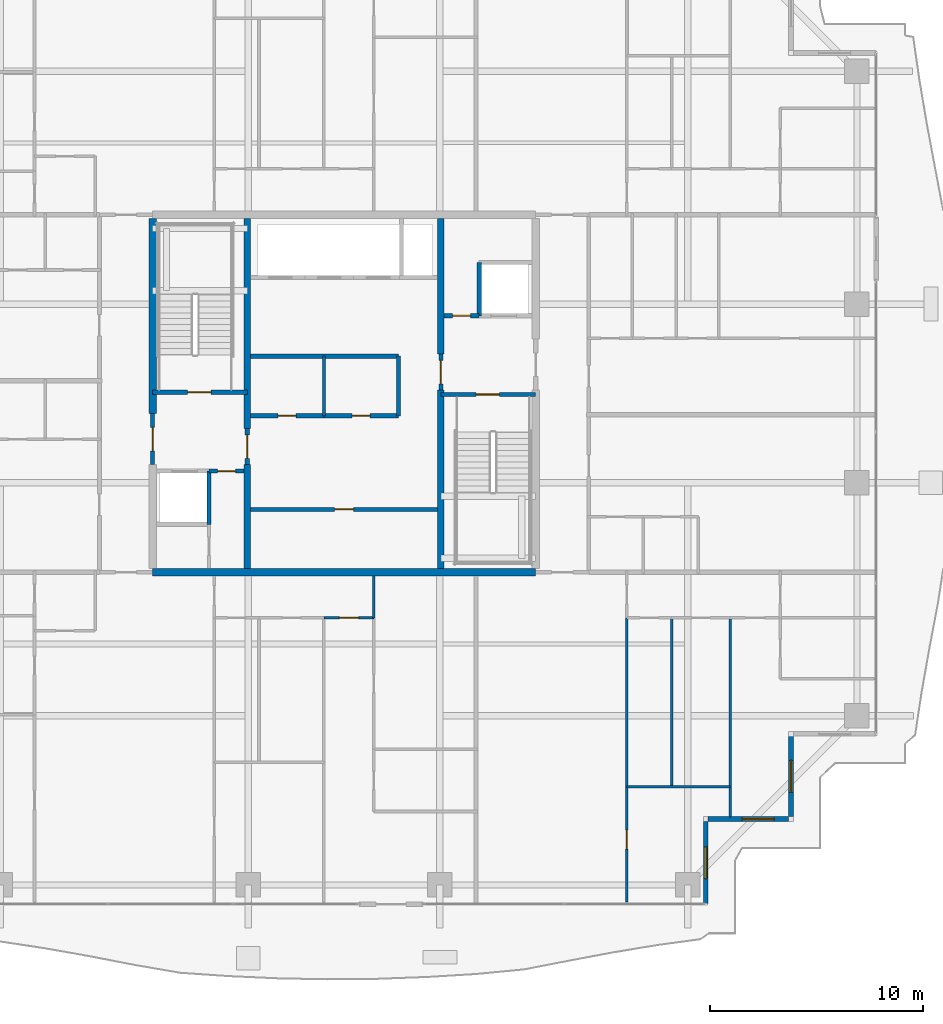
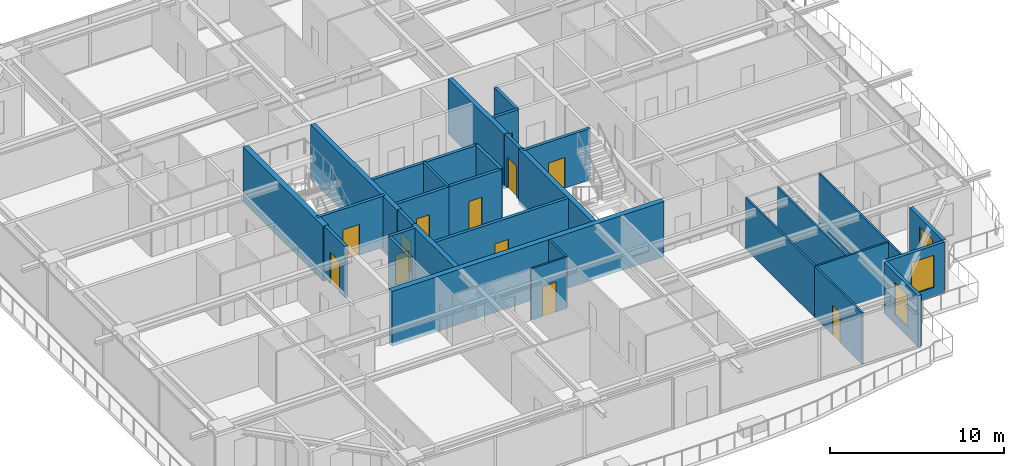
# One storey, part 27 of 38: 31 walls, 12 doors, 3 windows, 15 openings.
"""IFC4 building model written with IfcOpenShell, lengths in metres."""

from ifc_helpers import new_model, si_unit, direction, frame, frame_2d, origin, place, context, subcontext, project, spatial, rectangle, extrude, source, transform, mapped, material, layer, layer_set, type_object, element, fill, save


model = new_model("IFC4")

# Units and contexts
model_context = context("Model", 3, precision=1e-05, world=origin(), true_north=direction((0.0, 1.0)))
body_context = subcontext(model_context, "Body", "Model", "MODEL_VIEW")
ifc_project = project(units=[si_unit("LENGTHUNIT", "METRE"), si_unit("AREAUNIT", "SQUARE_METRE"), si_unit("VOLUMEUNIT", "CUBIC_METRE"), si_unit("PLANEANGLEUNIT", "RADIAN"), si_unit("MASSUNIT", "GRAM", prefix="KILO")], contexts=[model_context])

# Site, building, storey
site_placement = place(None, origin())
site = spatial("IfcSite", under=ifc_project, at=site_placement, CompositionType="ELEMENT")
building_placement = place(site_placement, origin())
building = spatial("IfcBuilding", under=site, at=building_placement, Name="Serunith Strait Residences", CompositionType="ELEMENT")
storey_placement = place(building_placement, frame((0.0, 0.0, 245.10009765625)))
storey = spatial("IfcBuildingStorey", under=building, at=storey_placement, Name="L61", CompositionType="ELEMENT", Elevation=245.10009765625)

# Wall, opening, window
ifc_material_1 = material(Name="Pale-Champagne Aluminium Insulated Panel", Category="aluminium")
ifc_layer_1 = layer(ifc_material_1, 0.219970703125, Name="Pale-Champagne Aluminium Insulated Panel")
ifc_layer_set_1 = layer_set([ifc_layer_1], Name="Pale-Champagne Aluminium Insulated Panel")
wall_type_1 = type_object("IfcWallType", Name="EW-ALUM-220", PredefinedType="ELEMENTEDWALL", material=ifc_layer_set_1)
wall_1_placement = place(storey_placement, frame((49.39990234375, 1.199951171875, 0.0), z_axis=(0.0, 0.0, 1.0), x_axis=(0.0, 1.0, 0.0)))
wall_1 = element("IfcWall", 1, at=wall_1_placement, inside=storey, type_object=wall_type_1, Name="L61 Girih Serrated Corner Wall 02", PredefinedType="ELEMENTEDWALL", context=body_context, shape_type="SweptSolid", body=[
    extrude(rectangle(XDim=3.89013671875, YDim=0.219970703125, at=frame_2d((1.945068359375, 0.0))), origin(), (0.0, 0.0, 1.0), 3.574951171875),
])
opening_1_placement = place(wall_1_placement, frame((1.195068359375, 0.0, 0.64990234375)))
opening_1 = element("IfcOpeningElement", 2, at=opening_1_placement, cuts=wall_1, Name="Opening W-05", PredefinedType="OPENING", context=body_context, shape_type="SweptSolid", body=[
    extrude(rectangle(XDim=1.5, YDim=2.25, at=frame_2d((0.75, 1.125))), frame((0.0, 0.1201171875, 0.0), z_axis=(0.0, -1.0, 0.0), x_axis=(1.0, 0.0, 0.0)), (0.0, 0.0, 1.0), 0.239990234375),
])
ifc_material_2 = material(Name="Ceramic-Fritted Operable Aluminium Window Glass", Category="aluminium")
window_type = type_object("IfcWindowType", Name="WIN-C5", PartitioningType="DOUBLE_PANEL_VERTICAL", PredefinedType="WINDOW", material=ifc_material_2)
shared_shape_1 = source(origin(), body_context, "Body", "SweptSolid", [
    extrude(rectangle(XDim=1.5, YDim=2.25, at=frame_2d((0.75, 1.125))), frame((0.0, 0.030029296875, 0.0), z_axis=(0.0, -1.0, 0.0), x_axis=(1.0, 0.0, 0.0)), (0.0, 0.0, 1.0), 0.06005859375),
])
window_1_placement = place(opening_1_placement, origin())
window_1 = element("IfcWindow", 3, at=window_1_placement, inside=storey, type_object=window_type, Name="L61 Corner Operable Fritted Window 02", OverallHeight=2.25, OverallWidth=1.5, PartitioningType="SINGLE_PANEL", PredefinedType="WINDOW", context=body_context, shape_type="MappedRepresentation", body=[
    mapped(shared_shape_1, transform((0.0, 0.0, 0.0), scale=1.0)),
])
fill(opening_1, window_1)

wall_2_placement = place(storey_placement, frame((49.510009765625, 5.199951171875, 0.0), z_axis=(0.0, 0.0, 1.0), x_axis=(1.0, 0.0, 0.0)))
wall_2 = element("IfcWall", 4, at=wall_2_placement, inside=storey, type_object=wall_type_1, Name="L61 Girih Serrated Corner Wall 03", PredefinedType="ELEMENTEDWALL", context=body_context, shape_type="SweptSolid", body=[
    extrude(rectangle(XDim=3.780029296875, YDim=0.219970703125, at=frame_2d((1.89013671875, 0.0))), origin(), (0.0, 0.0, 1.0), 3.574951171875),
])
opening_2_placement = place(wall_2_placement, frame((1.595947265625, 0.0, 0.64990234375)))
opening_2 = element("IfcOpeningElement", 5, at=opening_2_placement, cuts=wall_2, Name="Opening W-05", PredefinedType="OPENING", context=body_context, shape_type="SweptSolid", body=[
    extrude(rectangle(XDim=1.5, YDim=2.25, at=frame_2d((0.75, 1.125))), frame((0.0, 0.1201171875, 0.0), z_axis=(0.0, -1.0, 0.0), x_axis=(1.0, 0.0, 0.0)), (0.0, 0.0, 1.0), 0.239990234375),
])
window_2_placement = place(opening_2_placement, origin())
window_2 = element("IfcWindow", 6, at=window_2_placement, inside=storey, type_object=window_type, Name="L61 Corner Operable Fritted Window 03", OverallHeight=2.25, OverallWidth=1.5, PartitioningType="SINGLE_PANEL", PredefinedType="WINDOW", context=body_context, shape_type="MappedRepresentation", body=[
    mapped(shared_shape_1, transform((0.0, 0.0, 0.0), scale=1.0)),
])
fill(opening_2, window_2)

wall_3_placement = place(storey_placement, frame((53.39990234375, 5.31005859375, 0.0), z_axis=(0.0, 0.0, 1.0), x_axis=(0.0, 1.0, 0.0)))
wall_3 = element("IfcWall", 7, at=wall_3_placement, inside=storey, type_object=wall_type_1, Name="L61 Girih Serrated Corner Wall 04", PredefinedType="ELEMENTEDWALL", context=body_context, shape_type="SweptSolid", body=[
    extrude(rectangle(XDim=3.780029296875, YDim=0.219970703125, at=frame_2d((1.89013671875, 0.0))), origin(), (0.0, 0.0, 1.0), 3.574951171875),
])
opening_3_placement = place(wall_3_placement, frame((1.139892578125, 0.0, 0.64990234375)))
opening_3 = element("IfcOpeningElement", 8, at=opening_3_placement, cuts=wall_3, Name="Opening W-05", PredefinedType="OPENING", context=body_context, shape_type="SweptSolid", body=[
    extrude(rectangle(XDim=1.5, YDim=2.25, at=frame_2d((0.75, 1.125))), frame((0.0, 0.1201171875, 0.0), z_axis=(0.0, -1.0, 0.0), x_axis=(1.0, 0.0, 0.0)), (0.0, 0.0, 1.0), 0.239990234375),
])
window_3_placement = place(opening_3_placement, origin())
window_3 = element("IfcWindow", 9, at=window_3_placement, inside=storey, type_object=window_type, Name="L61 Corner Operable Fritted Window 04", OverallHeight=2.25, OverallWidth=1.5, PartitioningType="SINGLE_PANEL", PredefinedType="WINDOW", context=body_context, shape_type="MappedRepresentation", body=[
    mapped(shared_shape_1, transform((0.0, 0.0, 0.0), scale=1.0)),
])
fill(opening_3, window_3)

# Wall
ifc_material_3 = material(Name="Fire-rated masonry service closet wall", Category="masonry")
ifc_layer_2 = layer(ifc_material_3, 0.14990234375, Name="Fire-rated masonry service closet wall")
ifc_layer_set_2 = layer_set([ifc_layer_2], Name="Fire-rated masonry service closet wall")
wall_type_2 = type_object("IfcWallType", Name="IW-BOH-150", PredefinedType="PARTITIONING", material=ifc_layer_set_2)
wall_4_placement = place(storey_placement, frame((31.449951171875, 24.14990234375, 0.0), z_axis=(0.0, 0.0, 1.0), x_axis=(0.0, 1.0, 0.0)))
element("IfcWall", 10, at=wall_4_placement, inside=storey, type_object=wall_type_2, Name="L61 Partition Wall 017", PredefinedType="PARTITIONING", context=body_context, shape_type="SweptSolid", body=[
    extrude(rectangle(XDim=2.800048828125, YDim=0.14990234375, at=frame_2d((1.39990234375, 0.0))), origin(), (0.0, 0.0, 1.0), 3.58984375),
])

# Wall, opening, door
ifc_material_4 = material(Name="Lightweight steel-stud gypsum partition", Category="steel")
ifc_layer_3 = layer(ifc_material_4, 0.1201171875, Name="Lightweight steel-stud gypsum partition")
ifc_layer_set_3 = layer_set([ifc_layer_3], Name="Lightweight steel-stud gypsum partition")
wall_type_3 = type_object("IfcWallType", Name="IW-PART-120", PredefinedType="PARTITIONING", material=ifc_layer_set_3)
wall_5_placement = place(storey_placement, frame((31.451904296875, 14.64990234375, 0.0), z_axis=(0.0, 0.0, 1.0), x_axis=(1.0, 0.0, 0.0)))
wall_5 = element("IfcWall", 11, at=wall_5_placement, inside=storey, type_object=wall_type_3, Name="L61 Partition Wall 048", PredefinedType="PARTITIONING", context=body_context, shape_type="SweptSolid", body=[
    extrude(rectangle(XDim=2.34814453125, YDim=0.1201171875, at=frame_2d((1.174072265625, 0.0))), origin(), (0.0, 0.0, 1.0), 3.58984375),
])
opening_4_placement = place(wall_5_placement, frame((0.72412109375, 0.0, 0.0)))
opening_4 = element("IfcOpeningElement", 12, at=opening_4_placement, cuts=wall_5, Name="Opening D-RM900", PredefinedType="OPENING", context=body_context, shape_type="SweptSolid", body=[
    extrude(rectangle(XDim=0.89990234375, YDim=2.10009765625, at=frame_2d((0.449951171875, 1.050048828125))), frame((0.0, 0.070068359375, 0.0), z_axis=(0.0, -1.0, 0.0), x_axis=(1.0, 0.0, 0.0)), (0.0, 0.0, 1.0), 0.14013671875),
])
ifc_material_5 = material(Name="Engineered timber flush bedroom door", Category="wood")
door_type_1 = type_object("IfcDoorType", Name="ID-ROOM-900", OperationType="NOTDEFINED", PredefinedType="DOOR", material=ifc_material_5)
shared_shape_2 = source(origin(), body_context, "Body", "SweptSolid", [
    extrude(rectangle(XDim=0.89990234375, YDim=2.10009765625, at=frame_2d((0.449951171875, 1.050048828125))), frame((0.0, 0.02490234375, 0.0), z_axis=(0.0, -1.0, 0.0), x_axis=(1.0, 0.0, 0.0)), (0.0, 0.0, 1.0), 0.050048828125),
])
door_1_placement = place(opening_4_placement, origin())
door_1 = element("IfcDoor", 13, at=door_1_placement, inside=storey, type_object=door_type_1, Name="L61 Master Bedroom E 6101 Door", OperationType="SINGLE_SWING_LEFT", OverallHeight=2.10009765625, OverallWidth=0.89990234375, PredefinedType="DOOR", context=body_context, shape_type="MappedRepresentation", body=[
    mapped(shared_shape_2, transform((0.0, 0.0, 0.0), scale=1.0)),
])
fill(opening_4, door_1)

# Wall
wall_6_placement = place(storey_placement, frame((33.800048828125, 14.652099609375, 0.0), z_axis=(0.0, 0.0, 1.0), x_axis=(0.0, 1.0, 0.0)))
element("IfcWall", 14, at=wall_6_placement, inside=storey, type_object=wall_type_3, Name="L61 Partition Wall 053", PredefinedType="PARTITIONING", context=body_context, shape_type="SweptSolid", body=[
    extrude(rectangle(XDim=1.972900390625, YDim=0.1201171875, at=frame_2d((0.986328125, 0.0))), origin(), (0.0, 0.0, 1.0), 3.58984375),
])

# Wall, opening, door
wall_7_placement = place(storey_placement, frame((45.68994140625, 1.294921875, 0.0), z_axis=(0.0, 0.0, 1.0), x_axis=(0.0, 1.0, 0.0)))
wall_7 = element("IfcWall", 15, at=wall_7_placement, inside=storey, type_object=wall_type_3, Name="L61 Partition Wall 055", PredefinedType="PARTITIONING", context=body_context, shape_type="SweptSolid", body=[
    extrude(rectangle(XDim=5.419189453125, YDim=0.1201171875, at=frame_2d((2.70947265625, 0.0))), origin(), (0.0, 0.0, 1.0), 3.58984375),
])
opening_5_placement = place(wall_7_placement, frame((2.485107421875, 0.0, 0.0)))
opening_5 = element("IfcOpeningElement", 16, at=opening_5_placement, cuts=wall_7, Name="Opening D-RM900", PredefinedType="OPENING", context=body_context, shape_type="SweptSolid", body=[
    extrude(rectangle(XDim=0.89990234375, YDim=2.10009765625, at=frame_2d((0.449951171875, 1.050048828125))), frame((0.0, 0.070068359375, 0.0), z_axis=(0.0, -1.0, 0.0), x_axis=(1.0, 0.0, 0.0)), (0.0, 0.0, 1.0), 0.14013671875),
])
door_2_placement = place(opening_5_placement, origin())
door_2 = element("IfcDoor", 17, at=door_2_placement, inside=storey, type_object=door_type_1, Name="L61 Study 1 6102 Door", OperationType="SINGLE_SWING_LEFT", OverallHeight=2.10009765625, OverallWidth=0.89990234375, PredefinedType="DOOR", context=body_context, shape_type="MappedRepresentation", body=[
    mapped(shared_shape_2, transform((0.0, 0.0, 0.0), scale=1.0)),
])
fill(opening_5, door_2)

# Walls
wall_8_placement = place(storey_placement, frame((45.68994140625, 6.716064453125, 0.0), z_axis=(0.0, 0.0, 1.0), x_axis=(0.0, 1.0, 0.0)))
element("IfcWall", 18, at=wall_8_placement, inside=storey, type_object=wall_type_3, Name="L61 Partition Wall 056", PredefinedType="PARTITIONING", context=body_context, shape_type="SweptSolid", body=[
    extrude(rectangle(XDim=7.931884765625, YDim=0.1201171875, at=frame_2d((3.9658203125, 0.0))), origin(), (0.0, 0.0, 1.0), 3.58984375),
])
wall_9_placement = place(storey_placement, frame((45.68994140625, 6.714111328125, 0.0), z_axis=(0.0, 0.0, 1.0), x_axis=(1.0, 0.0, 0.0)))
element("IfcWall", 19, at=wall_9_placement, inside=storey, type_object=wall_type_3, Name="L61 Partition Wall 057", PredefinedType="PARTITIONING", context=body_context, shape_type="SweptSolid", body=[
    extrude(rectangle(XDim=4.85009765625, YDim=0.1201171875, at=frame_2d((2.425048828125, 0.0))), origin(), (0.0, 0.0, 1.0), 3.58984375),
])
wall_10_placement = place(storey_placement, frame((50.5400390625, 5.294921875, 0.0), z_axis=(0.0, 0.0, 1.0), x_axis=(0.0, 1.0, 0.0)))
element("IfcWall", 20, at=wall_10_placement, inside=storey, type_object=wall_type_3, Name="L61 Partition Wall 058", PredefinedType="PARTITIONING", context=body_context, shape_type="SweptSolid", body=[
    extrude(rectangle(XDim=9.35498046875, YDim=0.1201171875, at=frame_2d((4.677490234375, 0.0))), origin(), (0.0, 0.0, 1.0), 3.58984375),
])
wall_11_placement = place(storey_placement, frame((47.7900390625, 6.714111328125, 0.0), z_axis=(0.0, 0.0, 1.0), x_axis=(0.0, 1.0, 0.0)))
element("IfcWall", 21, at=wall_11_placement, inside=storey, type_object=wall_type_3, Name="L61 Partition Wall 059", PredefinedType="PARTITIONING", context=body_context, shape_type="SweptSolid", body=[
    extrude(rectangle(XDim=7.935791015625, YDim=0.1201171875, at=frame_2d((3.9677734375, 0.0))), origin(), (0.0, 0.0, 1.0), 3.58984375),
])

# Wall, opening, door
ifc_material_6 = material(Name="Autoclaved aerated concrete blockwork", Category="masonry")
ifc_layer_4 = layer(ifc_material_6, 0.199951171875, Name="Autoclaved aerated concrete blockwork")
ifc_layer_set_4 = layer_set([ifc_layer_4], Name="Autoclaved aerated concrete blockwork")
wall_type_4 = type_object("IfcWallType", Name="IW-SHAFT-200", PredefinedType="STANDARD", material=ifc_layer_set_4)
wall_12_placement = place(storey_placement, frame((23.39990234375, 25.25, 0.0), z_axis=(0.0, 0.0, 1.0), x_axis=(1.0, 0.0, 0.0)))
wall_12 = element("IfcWall", 22, at=wall_12_placement, inside=storey, type_object=wall_type_4, Name="L61 ST-1 South Shaft Wall", PredefinedType="STANDARD", context=body_context, shape_type="SweptSolid", body=[
    extrude(rectangle(XDim=4.4501953125, YDim=0.199951171875, at=frame_2d((2.22509765625, 0.0))), origin(), (0.0, 0.0, 1.0), 3.58984375),
])
opening_6_placement = place(wall_12_placement, frame((1.64990234375, 0.0, 0.0)))
opening_6 = element("IfcOpeningElement", 23, at=opening_6_placement, cuts=wall_12, Name="Opening FD-1100", PredefinedType="OPENING", context=body_context, shape_type="SweptSolid", body=[
    extrude(rectangle(XDim=1.10009765625, YDim=2.14990234375, at=frame_2d((0.550048828125, 1.074951171875))), frame((0.0, 0.10986328125, 0.0), z_axis=(0.0, -1.0, 0.0), x_axis=(1.0, 0.0, 0.0)), (0.0, 0.0, 1.0), 0.219970703125),
])
ifc_material_7 = material(Name="Galvanised steel fire door leaf", Category="steel")
door_type_2 = type_object("IfcDoorType", Name="FD-STAIR-1100", OperationType="NOTDEFINED", PredefinedType="DOOR", material=ifc_material_7)
shared_shape_3 = source(origin(), body_context, "Body", "SweptSolid", [
    extrude(rectangle(XDim=1.10009765625, YDim=2.14990234375, at=frame_2d((0.550048828125, 1.074951171875))), frame((0.0, 0.02490234375, 0.0), z_axis=(0.0, -1.0, 0.0), x_axis=(1.0, 0.0, 0.0)), (0.0, 0.0, 1.0), 0.050048828125),
])
door_3_placement = place(opening_6_placement, origin())
door_3 = element("IfcDoor", 24, at=door_3_placement, inside=storey, type_object=door_type_2, Name="L61 ST-1 Escape Stair Door", OperationType="SINGLE_SWING_LEFT", OverallHeight=2.14990234375, OverallWidth=1.10009765625, PredefinedType="DOOR", context=body_context, shape_type="MappedRepresentation", body=[
    mapped(shared_shape_3, transform((0.0, 0.0, 0.0), scale=1.0)),
])
fill(opening_6, door_3)

wall_13_placement = place(storey_placement, frame((36.949951171875, 25.14990234375, 0.0), z_axis=(0.0, 0.0, 1.0), x_axis=(1.0, 0.0, 0.0)))
wall_13 = element("IfcWall", 25, at=wall_13_placement, inside=storey, type_object=wall_type_4, Name="L61 ST-2 North Shaft Wall", PredefinedType="STANDARD", context=body_context, shape_type="SweptSolid", body=[
    extrude(rectangle(XDim=4.449951171875, YDim=0.199951171875, at=frame_2d((2.22509765625, 0.0))), origin(), (0.0, 0.0, 1.0), 3.58984375),
])
opening_7_placement = place(wall_13_placement, frame((1.64990234375, 0.0, 0.0)))
opening_7 = element("IfcOpeningElement", 26, at=opening_7_placement, cuts=wall_13, Name="Opening FD-1100", PredefinedType="OPENING", context=body_context, shape_type="SweptSolid", body=[
    extrude(rectangle(XDim=1.10009765625, YDim=2.14990234375, at=frame_2d((0.550048828125, 1.074951171875))), frame((0.0, 0.10986328125, 0.0), z_axis=(0.0, -1.0, 0.0), x_axis=(1.0, 0.0, 0.0)), (0.0, 0.0, 1.0), 0.219970703125),
])
door_4_placement = place(opening_7_placement, origin())
door_4 = element("IfcDoor", 27, at=door_4_placement, inside=storey, type_object=door_type_2, Name="L61 ST-2 Escape Stair Door", OperationType="SINGLE_SWING_RIGHT", OverallHeight=2.14990234375, OverallWidth=1.10009765625, PredefinedType="DOOR", context=body_context, shape_type="MappedRepresentation", body=[
    mapped(shared_shape_3, transform((0.0, 0.0, 0.0), scale=1.0)),
])
fill(opening_7, door_4)

# Wall
wall_14_placement = place(storey_placement, frame((26.050048828125, 19.050048828125, 0.0), z_axis=(0.0, 0.0, 1.0), x_axis=(0.0, 1.0, 0.0)))
element("IfcWall", 28, at=wall_14_placement, inside=storey, type_object=wall_type_4, Name="L61 Partition Wall 001", PredefinedType="STANDARD", context=body_context, shape_type="SweptSolid", body=[
    extrude(rectangle(XDim=2.5, YDim=0.199951171875, at=frame_2d((1.25, 0.0))), origin(), (0.0, 0.0, 1.0), 3.58984375),
])

# Wall, opening, door
wall_15_placement = place(storey_placement, frame((26.052001953125, 21.550048828125, 0.0), z_axis=(0.0, 0.0, 1.0), x_axis=(1.0, 0.0, 0.0)))
wall_15 = element("IfcWall", 29, at=wall_15_placement, inside=storey, type_object=wall_type_4, Name="L61 Partition Wall 003", PredefinedType="STANDARD", context=body_context, shape_type="SweptSolid", body=[
    extrude(rectangle(XDim=1.64794921875, YDim=0.199951171875, at=frame_2d((0.823974609375, 0.0))), origin(), (0.0, 0.0, 1.0), 3.58984375),
])
opening_8_placement = place(wall_15_placement, frame((0.39892578125, 0.0, 0.0)))
opening_8 = element("IfcOpeningElement", 30, at=opening_8_placement, cuts=wall_15, Name="Opening FD-850", PredefinedType="OPENING", context=body_context, shape_type="SweptSolid", body=[
    extrude(rectangle(XDim=0.85009765625, YDim=2.10009765625, at=frame_2d((0.425048828125, 1.050048828125))), frame((0.0, 0.10986328125, 0.0), z_axis=(0.0, -1.0, 0.0), x_axis=(1.0, 0.0, 0.0)), (0.0, 0.0, 1.0), 0.219970703125),
])
ifc_material_8 = material(Name="Powder-coated steel service closet door", Category="steel")
door_type_3 = type_object("IfcDoorType", Name="FD-BOH-850", OperationType="NOTDEFINED", PredefinedType="DOOR", material=ifc_material_8)
shared_shape_4 = source(origin(), body_context, "Body", "SweptSolid", [
    extrude(rectangle(XDim=0.85009765625, YDim=2.10009765625, at=frame_2d((0.425048828125, 1.050048828125))), frame((0.0, 0.02490234375, 0.0), z_axis=(0.0, -1.0, 0.0), x_axis=(1.0, 0.0, 0.0)), (0.0, 0.0, 1.0), 0.050048828125),
])
door_5_placement = place(opening_8_placement, origin())
door_5 = element("IfcDoor", 31, at=door_5_placement, inside=storey, type_object=door_type_3, Name="L61 South-West Core Service Door", OperationType="SINGLE_SWING_LEFT", OverallHeight=2.10009765625, OverallWidth=0.85009765625, PredefinedType="DOOR", context=body_context, shape_type="MappedRepresentation", body=[
    mapped(shared_shape_4, transform((0.0, 0.0, 0.0), scale=1.0)),
])
fill(opening_8, door_5)

# Wall
wall_16_placement = place(storey_placement, frame((38.75, 28.85009765625, 0.0), z_axis=(0.0, 0.0, 1.0), x_axis=(0.0, 1.0, 0.0)))
element("IfcWall", 32, at=wall_16_placement, inside=storey, type_object=wall_type_4, Name="L61 Partition Wall 004", PredefinedType="STANDARD", context=body_context, shape_type="SweptSolid", body=[
    extrude(rectangle(XDim=2.5, YDim=0.199951171875, at=frame_2d((1.25, 0.0))), origin(), (0.0, 0.0, 1.0), 3.58984375),
])

# Wall, opening, door
wall_17_placement = place(storey_placement, frame((37.10009765625, 28.85009765625, 0.0), z_axis=(0.0, 0.0, 1.0), x_axis=(1.0, 0.0, 0.0)))
wall_17 = element("IfcWall", 33, at=wall_17_placement, inside=storey, type_object=wall_type_4, Name="L61 Partition Wall 006", PredefinedType="STANDARD", context=body_context, shape_type="SweptSolid", body=[
    extrude(rectangle(XDim=1.64794921875, YDim=0.199951171875, at=frame_2d((0.823974609375, 0.0))), origin(), (0.0, 0.0, 1.0), 3.58984375),
])
opening_9_placement = place(wall_17_placement, frame((0.39892578125, 0.0, 0.0)))
opening_9 = element("IfcOpeningElement", 34, at=opening_9_placement, cuts=wall_17, Name="Opening FD-850", PredefinedType="OPENING", context=body_context, shape_type="SweptSolid", body=[
    extrude(rectangle(XDim=0.85009765625, YDim=2.10009765625, at=frame_2d((0.425048828125, 1.050048828125))), frame((0.0, 0.10986328125, 0.0), z_axis=(0.0, -1.0, 0.0), x_axis=(1.0, 0.0, 0.0)), (0.0, 0.0, 1.0), 0.219970703125),
])
door_6_placement = place(opening_9_placement, origin())
door_6 = element("IfcDoor", 35, at=door_6_placement, inside=storey, type_object=door_type_3, Name="L61 North-East Core Service Door", OperationType="SINGLE_SWING_RIGHT", OverallHeight=2.10009765625, OverallWidth=0.85009765625, PredefinedType="DOOR", context=body_context, shape_type="MappedRepresentation", body=[
    mapped(shared_shape_4, transform((0.0, 0.0, 0.0), scale=1.0)),
])
fill(opening_9, door_6)

wall_18_placement = place(storey_placement, frame((23.39990234375, 21.85205078125, 0.0), z_axis=(0.0, 0.0, 1.0), x_axis=(0.0, 1.0, 0.0)))
wall_18 = element("IfcWall", 36, at=wall_18_placement, inside=storey, type_object=wall_type_4, Name="L61 Partition Wall 007", PredefinedType="STANDARD", context=body_context, shape_type="SweptSolid", body=[
    extrude(rectangle(XDim=2.39599609375, YDim=0.199951171875, at=frame_2d((1.197998046875, 0.0))), origin(), (0.0, 0.0, 1.0), 3.58984375),
])
opening_10_placement = place(wall_18_placement, frame((0.64794921875, 0.0, 0.0)))
opening_10 = element("IfcOpeningElement", 37, at=opening_10_placement, cuts=wall_18, Name="Opening FD-FFL", PredefinedType="OPENING", context=body_context, shape_type="SweptSolid", body=[
    extrude(rectangle(XDim=1.10009765625, YDim=2.14990234375, at=frame_2d((0.550048828125, 1.074951171875))), frame((0.0, 0.10986328125, 0.0), z_axis=(0.0, -1.0, 0.0), x_axis=(1.0, 0.0, 0.0)), (0.0, 0.0, 1.0), 0.219970703125),
])
ifc_material_9 = material(Name="Glazed steel smoke-lobby fire door", Category="steel")
door_type_4 = type_object("IfcDoorType", Name="FD-FFL-1100", OperationType="NOTDEFINED", PredefinedType="DOOR", material=ifc_material_9)
door_7_placement = place(opening_10_placement, origin())
door_7 = element("IfcDoor", 38, at=door_7_placement, inside=storey, type_object=door_type_4, Name="L61 FFL-1 Corridor Fire Door", OperationType="SINGLE_SWING_LEFT", OverallHeight=2.14990234375, OverallWidth=1.10009765625, PredefinedType="DOOR", context=body_context, shape_type="MappedRepresentation", body=[
    mapped(shared_shape_3, transform((0.0, 0.0, 0.0), scale=1.0)),
])
fill(opening_10, door_7)

wall_19_placement = place(storey_placement, frame((27.85009765625, 21.85205078125, 0.0), z_axis=(0.0, 0.0, 1.0), x_axis=(0.0, 1.0, 0.0)))
wall_19 = element("IfcWall", 39, at=wall_19_placement, inside=storey, type_object=wall_type_4, Name="L61 Partition Wall 009", PredefinedType="STANDARD", context=body_context, shape_type="SweptSolid", body=[
    extrude(rectangle(XDim=1.696044921875, YDim=0.199951171875, at=frame_2d((0.84814453125, 0.0))), origin(), (0.0, 0.0, 1.0), 3.58984375),
])
opening_11_placement = place(wall_19_placement, frame((0.298095703125, 0.0, 0.0)))
opening_11 = element("IfcOpeningElement", 40, at=opening_11_placement, cuts=wall_19, Name="Opening FD-FFL", PredefinedType="OPENING", context=body_context, shape_type="SweptSolid", body=[
    extrude(rectangle(XDim=1.10009765625, YDim=2.14990234375, at=frame_2d((0.550048828125, 1.074951171875))), frame((0.0, 0.10986328125, 0.0), z_axis=(0.0, -1.0, 0.0), x_axis=(1.0, 0.0, 0.0)), (0.0, 0.0, 1.0), 0.219970703125),
])
door_8_placement = place(opening_11_placement, origin())
door_8 = element("IfcDoor", 41, at=door_8_placement, inside=storey, type_object=door_type_4, Name="L61 FFL-1 Lift Lobby Door", OperationType="SINGLE_SWING_LEFT", OverallHeight=2.14990234375, OverallWidth=1.10009765625, PredefinedType="DOOR", context=body_context, shape_type="MappedRepresentation", body=[
    mapped(shared_shape_3, transform((0.0, 0.0, 0.0), scale=1.0)),
])
fill(opening_11, door_8)

wall_20_placement = place(storey_placement, frame((36.949951171875, 25.35205078125, 0.0), z_axis=(0.0, 0.0, 1.0), x_axis=(0.0, 1.0, 0.0)))
wall_20 = element("IfcWall", 42, at=wall_20_placement, inside=storey, type_object=wall_type_4, Name="L61 Partition Wall 010", PredefinedType="STANDARD", context=body_context, shape_type="SweptSolid", body=[
    extrude(rectangle(XDim=1.696044921875, YDim=0.199951171875, at=frame_2d((0.84814453125, 0.0))), origin(), (0.0, 0.0, 1.0), 3.58984375),
])
opening_12_placement = place(wall_20_placement, frame((0.298095703125, 0.0, 0.0)))
opening_12 = element("IfcOpeningElement", 43, at=opening_12_placement, cuts=wall_20, Name="Opening FD-FFL", PredefinedType="OPENING", context=body_context, shape_type="SweptSolid", body=[
    extrude(rectangle(XDim=1.10009765625, YDim=2.14990234375, at=frame_2d((0.550048828125, 1.074951171875))), frame((0.0, 0.10986328125, 0.0), z_axis=(0.0, -1.0, 0.0), x_axis=(1.0, 0.0, 0.0)), (0.0, 0.0, 1.0), 0.219970703125),
])
door_9_placement = place(opening_12_placement, origin())
door_9 = element("IfcDoor", 44, at=door_9_placement, inside=storey, type_object=door_type_4, Name="L61 FFL-2 Lift Lobby Door", OperationType="SINGLE_SWING_RIGHT", OverallHeight=2.14990234375, OverallWidth=1.10009765625, PredefinedType="DOOR", context=body_context, shape_type="MappedRepresentation", body=[
    mapped(shared_shape_3, transform((0.0, 0.0, 0.0), scale=1.0)),
])
fill(opening_12, door_9)

wall_21_placement = place(storey_placement, frame((28.0, 19.75, 0.0), z_axis=(0.0, 0.0, 1.0), x_axis=(1.0, 0.0, 0.0)))
wall_21 = element("IfcWall", 45, at=wall_21_placement, inside=storey, type_object=wall_type_4, Name="L61 Partition Wall 012", PredefinedType="STANDARD", context=body_context, shape_type="SweptSolid", body=[
    extrude(rectangle(XDim=8.800048828125, YDim=0.199951171875, at=frame_2d((4.39990234375, 0.0))), origin(), (0.0, 0.0, 1.0), 3.58984375),
])
opening_13_placement = place(wall_21_placement, frame((3.949951171875, 0.0, 0.0)))
opening_13 = element("IfcOpeningElement", 46, at=opening_13_placement, cuts=wall_21, Name="Opening FD-900", PredefinedType="OPENING", context=body_context, shape_type="SweptSolid", body=[
    extrude(rectangle(XDim=0.89990234375, YDim=2.10009765625, at=frame_2d((0.449951171875, 1.050048828125))), frame((0.0, 0.10986328125, 0.0), z_axis=(0.0, -1.0, 0.0), x_axis=(1.0, 0.0, 0.0)), (0.0, 0.0, 1.0), 0.219970703125),
])
ifc_material_10 = material(Name="Powder-coated steel riser door", Category="steel")
door_type_5 = type_object("IfcDoorType", Name="FD-BOH-900", OperationType="NOTDEFINED", PredefinedType="DOOR", material=ifc_material_10)
door_10_placement = place(opening_13_placement, origin())
door_10 = element("IfcDoor", 47, at=door_10_placement, inside=storey, type_object=door_type_5, Name="L61 Reclaimed BMS Plant Door", OperationType="SINGLE_SWING_RIGHT", OverallHeight=2.10009765625, OverallWidth=0.89990234375, PredefinedType="DOOR", context=body_context, shape_type="MappedRepresentation", body=[
    mapped(shared_shape_2, transform((0.0, 0.0, 0.0), scale=1.0)),
])
fill(opening_13, door_10)

# Walls
wall_22_placement = place(storey_placement, frame((28.0, 26.949951171875, 0.0), z_axis=(0.0, 0.0, 1.0), x_axis=(1.0, 0.0, 0.0)))
element("IfcWall", 48, at=wall_22_placement, inside=storey, type_object=wall_type_4, Name="L61 Partition Wall 013", PredefinedType="STANDARD", context=body_context, shape_type="SweptSolid", body=[
    extrude(rectangle(XDim=6.949951171875, YDim=0.199951171875, at=frame_2d((3.47509765625, 0.0))), origin(), (0.0, 0.0, 1.0), 3.58984375),
])
wall_23_placement = place(storey_placement, frame((34.949951171875, 24.14990234375, 0.0), z_axis=(0.0, 0.0, 1.0), x_axis=(0.0, 1.0, 0.0)))
element("IfcWall", 49, at=wall_23_placement, inside=storey, type_object=wall_type_4, Name="L61 Partition Wall 014", PredefinedType="STANDARD", context=body_context, shape_type="SweptSolid", body=[
    extrude(rectangle(XDim=2.800048828125, YDim=0.199951171875, at=frame_2d((1.39990234375, 0.0))), origin(), (0.0, 0.0, 1.0), 3.58984375),
])

# Wall, opening, door
wall_24_placement = place(storey_placement, frame((28.0, 24.14990234375, 0.0), z_axis=(0.0, 0.0, 1.0), x_axis=(1.0, 0.0, 0.0)))
wall_24 = element("IfcWall", 50, at=wall_24_placement, inside=storey, type_object=wall_type_4, Name="L61 Partition Wall 015", PredefinedType="STANDARD", context=body_context, shape_type="SweptSolid", body=[
    extrude(rectangle(XDim=3.449951171875, YDim=0.199951171875, at=frame_2d((1.72509765625, 0.0))), origin(), (0.0, 0.0, 1.0), 3.58984375),
])
opening_14_placement = place(wall_24_placement, frame((1.300048828125, 0.0, 0.0)))
opening_14 = element("IfcOpeningElement", 51, at=opening_14_placement, cuts=wall_24, Name="Opening FD-850", PredefinedType="OPENING", context=body_context, shape_type="SweptSolid", body=[
    extrude(rectangle(XDim=0.85009765625, YDim=2.10009765625, at=frame_2d((0.425048828125, 1.050048828125))), frame((0.0, 0.10986328125, 0.0), z_axis=(0.0, -1.0, 0.0), x_axis=(1.0, 0.0, 0.0)), (0.0, 0.0, 1.0), 0.219970703125),
])
door_11_placement = place(opening_14_placement, origin())
door_11 = element("IfcDoor", 52, at=door_11_placement, inside=storey, type_object=door_type_3, Name="L61 Concierge Store Door", OperationType="SINGLE_SWING_LEFT", OverallHeight=2.10009765625, OverallWidth=0.85009765625, PredefinedType="DOOR", context=body_context, shape_type="MappedRepresentation", body=[
    mapped(shared_shape_4, transform((0.0, 0.0, 0.0), scale=1.0)),
])
fill(opening_14, door_11)

wall_25_placement = place(storey_placement, frame((31.451904296875, 24.14990234375, 0.0), z_axis=(0.0, 0.0, 1.0), x_axis=(1.0, 0.0, 0.0)))
wall_25 = element("IfcWall", 53, at=wall_25_placement, inside=storey, type_object=wall_type_4, Name="L61 Partition Wall 016", PredefinedType="STANDARD", context=body_context, shape_type="SweptSolid", body=[
    extrude(rectangle(XDim=3.498046875, YDim=0.199951171875, at=frame_2d((1.7490234375, 0.0))), origin(), (0.0, 0.0, 1.0), 3.58984375),
])
opening_15_placement = place(wall_25_placement, frame((1.323974609375, 0.0, 0.0)))
opening_15 = element("IfcOpeningElement", 54, at=opening_15_placement, cuts=wall_25, Name="Opening FD-850", PredefinedType="OPENING", context=body_context, shape_type="SweptSolid", body=[
    extrude(rectangle(XDim=0.85009765625, YDim=2.10009765625, at=frame_2d((0.425048828125, 1.050048828125))), frame((0.0, 0.10986328125, 0.0), z_axis=(0.0, -1.0, 0.0), x_axis=(1.0, 0.0, 0.0)), (0.0, 0.0, 1.0), 0.219970703125),
])
door_12_placement = place(opening_15_placement, origin())
door_12 = element("IfcDoor", 55, at=door_12_placement, inside=storey, type_object=door_type_3, Name="L61 Upper Telecoms Door", OperationType="SINGLE_SWING_RIGHT", OverallHeight=2.10009765625, OverallWidth=0.85009765625, PredefinedType="DOOR", context=body_context, shape_type="MappedRepresentation", body=[
    mapped(shared_shape_4, transform((0.0, 0.0, 0.0), scale=1.0)),
])
fill(opening_15, door_12)

# Walls
ifc_material_11 = material(Name="Concrete C60/75", Category="concrete")
ifc_layer_5 = layer(ifc_material_11, 0.300048828125, Name="Concrete C60/75")
ifc_layer_set_5 = layer_set([ifc_layer_5], Name="Concrete C60/75")
wall_type_5 = type_object("IfcWallType", Name="SW-300-C60", PredefinedType="SHEAR", material=ifc_layer_set_5)
wall_26_placement = place(storey_placement, frame((27.85009765625, 16.97509765625, -0.260009765625), z_axis=(0.0, 0.0, 1.0), x_axis=(0.0, 1.0, 0.0)))
element("IfcWall", 56, at=wall_26_placement, inside=storey, type_object=wall_type_5, Name="L61 Core Internal West Web South Pier", PredefinedType="SHEAR", context=body_context, shape_type="SweptSolid", body=[
    extrude(rectangle(XDim=4.875, YDim=0.300048828125, at=frame_2d((2.4375, 0.0))), origin(), (0.0, 0.0, 1.0), 3.847900390625),
])
wall_27_placement = place(storey_placement, frame((27.85009765625, 23.550048828125, -0.260009765625), z_axis=(0.0, 0.0, 1.0), x_axis=(0.0, 1.0, 0.0)))
element("IfcWall", 57, at=wall_27_placement, inside=storey, type_object=wall_type_5, Name="L61 Core Internal West Web North Pier", PredefinedType="SHEAR", context=body_context, shape_type="SweptSolid", body=[
    extrude(rectangle(XDim=9.875, YDim=0.300048828125, at=frame_2d((4.9375, 0.0))), origin(), (0.0, 0.0, 1.0), 3.847900390625),
])
wall_28_placement = place(storey_placement, frame((36.949951171875, 16.97509765625, -0.260009765625), z_axis=(0.0, 0.0, 1.0), x_axis=(0.0, 1.0, 0.0)))
element("IfcWall", 58, at=wall_28_placement, inside=storey, type_object=wall_type_5, Name="L61 Core Internal East Web South Pier", PredefinedType="SHEAR", context=body_context, shape_type="SweptSolid", body=[
    extrude(rectangle(XDim=8.375, YDim=0.300048828125, at=frame_2d((4.1875, 0.0))), origin(), (0.0, 0.0, 1.0), 3.847900390625),
])
wall_29_placement = place(storey_placement, frame((36.949951171875, 27.050048828125, -0.260009765625), z_axis=(0.0, 0.0, 1.0), x_axis=(0.0, 1.0, 0.0)))
element("IfcWall", 59, at=wall_29_placement, inside=storey, type_object=wall_type_5, Name="L61 Core Internal East Web North Pier", PredefinedType="SHEAR", context=body_context, shape_type="SweptSolid", body=[
    extrude(rectangle(XDim=6.375, YDim=0.300048828125, at=frame_2d((3.1875, 0.0))), origin(), (0.0, 0.0, 1.0), 3.847900390625),
])
ifc_layer_6 = layer(ifc_material_11, 0.35009765625, Name="Concrete C60/75")
ifc_layer_set_6 = layer_set([ifc_layer_6], Name="Concrete C60/75")
wall_type_6 = type_object("IfcWallType", Name="SW-350-C60", PredefinedType="SHEAR", material=ifc_layer_set_6)
wall_30_placement = place(storey_placement, frame((23.39990234375, 16.800048828125, -0.260009765625), z_axis=(0.0, 0.0, 1.0), x_axis=(1.0, 0.0, 0.0)))
element("IfcWall", 60, at=wall_30_placement, inside=storey, type_object=wall_type_6, Name="L61 Core South Shear Wall", PredefinedType="SHEAR", context=body_context, shape_type="SweptSolid", body=[
    extrude(rectangle(XDim=18.0, YDim=0.35009765625, at=frame_2d((9.0, 0.0))), origin(), (0.0, 0.0, 1.0), 3.847900390625),
])
wall_31_placement = place(storey_placement, frame((23.39990234375, 24.25, -0.260009765625), z_axis=(0.0, 0.0, 1.0), x_axis=(0.0, 1.0, 0.0)))
element("IfcWall", 61, at=wall_31_placement, inside=storey, type_object=wall_type_6, Name="L61 Core West Shear Wall North Pier", PredefinedType="SHEAR", context=body_context, shape_type="SweptSolid", body=[
    extrude(rectangle(XDim=9.175048828125, YDim=0.35009765625, at=frame_2d((4.58740234375, 0.0))), origin(), (0.0, 0.0, 1.0), 3.847900390625),
])

save(model, "model.ifc")
